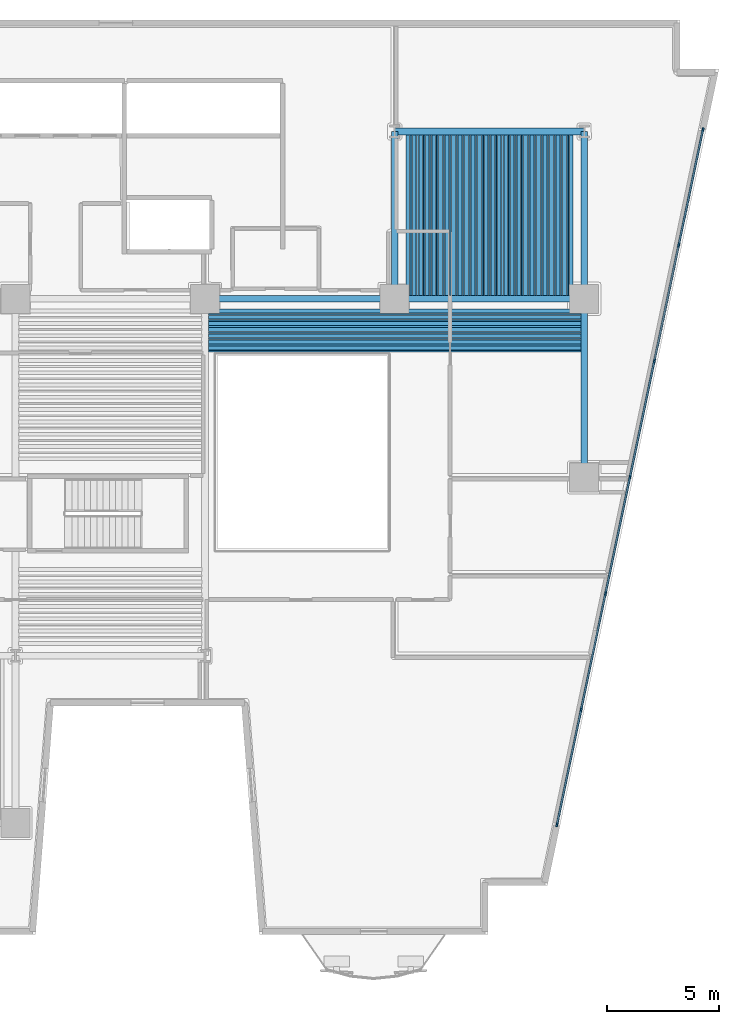
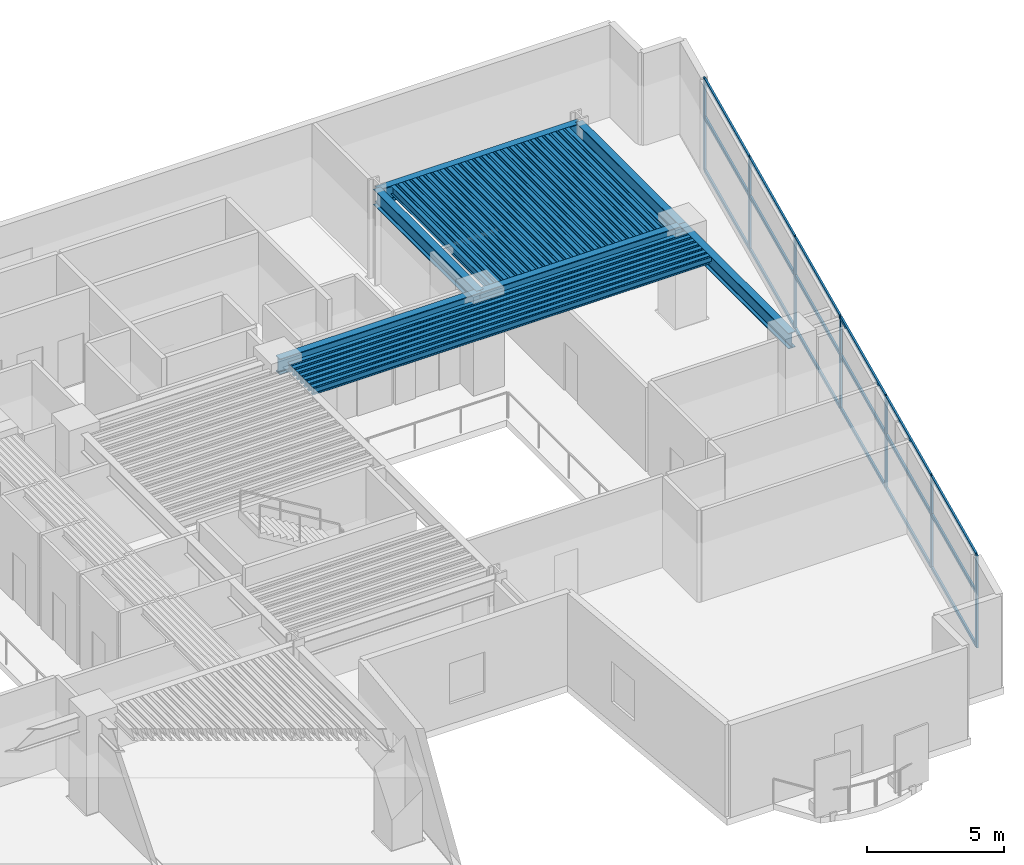
# One storey, part 2 of 12: 71 beams, 25 members, 1 element without a shape of its own.
"""IFC4 building model written with IfcOpenShell, lengths in metres."""

from ifc_helpers import new_model, si_unit, direction, frame, origin, origin_2d, place, context, subcontext, project, spatial, rectangle, hollow_rectangle, i_section, extrude, material, layer, layer_set, material_profile, profile_set, type_object, element, aggregate, save


model = new_model("IFC4")

# Units and contexts
model_context = context("Model", 3, precision=1e-05, world=origin(), true_north=direction((0.0, 1.0)))
body_context = subcontext(model_context, "Body", "Model", "MODEL_VIEW")
ifc_project = project(units=[si_unit("LENGTHUNIT", "METRE"), si_unit("AREAUNIT", "SQUARE_METRE"), si_unit("VOLUMEUNIT", "CUBIC_METRE"), si_unit("PLANEANGLEUNIT", "RADIAN"), si_unit("MASSUNIT", "GRAM", prefix="KILO")], contexts=[model_context])

# Site, building, storey
site_placement = place(None, origin())
site = spatial("IfcSite", under=ifc_project, at=site_placement, CompositionType="ELEMENT")
building_placement = place(site_placement, origin())
building = spatial("IfcBuilding", under=site, at=building_placement, Name="Caeloran Harvest Quay", CompositionType="ELEMENT")
storey_placement = place(building_placement, frame((0.0, 0.0, 35.800048828125)))
storey = spatial("IfcBuildingStorey", under=building, at=storey_placement, Name="L08", CompositionType="ELEMENT", Elevation=35.800048828125)

# Beams
ifc_material_1 = material(Name="Steel S355J2", Category="steel")
ifc_material_profile_1 = material_profile(ifc_material_1, i_section(OverallWidth=0.300048828125, OverallDepth=0.699951171875, WebThickness=0.01708984375, FlangeThickness=0.031982421875, FilletRadius=0.027099609375, at=origin_2d()), Name="HE 700 B")
ifc_profile_set_1 = profile_set([ifc_material_profile_1], Name="Steel S355J2")
beam_type_1 = type_object("IfcBeamType", Name="BM-PG-2-HE_700_B", PredefinedType="BEAM", material=ifc_profile_set_1)
for number, where, z_axis, x_axis, name in (
    (1, (34.0, 31.0, 3.75), (1.0, 0.0, 0.0), (0.0, 1.0, 0.0), "L08 Primary East-West Girder Y=31.0"),
    (2, (42.5, 31.0, 3.75), (1.0, 0.0, 0.0), (0.0, 1.0, 0.0), "L08 Primary East-West Girder Y=31.0"),
    (3, (42.5, 38.5, 3.75), (1.0, 0.0, 0.0), (0.0, 1.0, 0.0), "L08 Primary East-West Girder Y=38.5"),
):
    element("IfcBeam", number, at=place(storey_placement, frame(where, z_axis=z_axis, x_axis=x_axis)), inside=storey, type_object=beam_type_1, Name=name, PredefinedType="BEAM", context=body_context, shape_type="SweptSolid", body=[
        extrude(i_section(OverallWidth=0.300048828125, OverallDepth=0.699951171875, WebThickness=0.01708984375, FlangeThickness=0.031982421875, FilletRadius=0.027099609375, at=origin_2d()), origin(), (0.0, 0.0, 1.0), 8.5),
    ])
beam_1_placement = place(storey_placement, frame((42.5, 31.0, 3.75), z_axis=(0.0, 1.0, 0.0), x_axis=(-1.0, 0.0, 0.0)))
element("IfcBeam", 4, at=beam_1_placement, inside=storey, type_object=beam_type_1, Name="L08 Primary North-South Girder X=42.5", PredefinedType="BEAM", context=body_context, shape_type="SweptSolid", body=[
    extrude(i_section(OverallWidth=0.300048828125, OverallDepth=0.699951171875, WebThickness=0.01708984375, FlangeThickness=0.031982421875, FilletRadius=0.027099609375, at=origin_2d()), origin(), (0.0, 0.0, 1.0), 7.5),
])
beam_2_placement = place(storey_placement, frame((51.0, 23.0, 3.75), z_axis=(0.0, 1.0, 0.0), x_axis=(-1.0, 0.0, 0.0)))
element("IfcBeam", 5, at=beam_2_placement, inside=storey, type_object=beam_type_1, Name="L08 Primary North-South Girder X=51.0", PredefinedType="BEAM", context=body_context, shape_type="SweptSolid", body=[
    extrude(i_section(OverallWidth=0.300048828125, OverallDepth=0.699951171875, WebThickness=0.01708984375, FlangeThickness=0.031982421875, FilletRadius=0.027099609375, at=origin_2d()), origin(), (0.0, 0.0, 1.0), 8.0),
])
beam_3_placement = place(storey_placement, frame((51.0, 31.0, 3.75), z_axis=(0.0, 1.0, 0.0), x_axis=(-1.0, 0.0, 0.0)))
element("IfcBeam", 6, at=beam_3_placement, inside=storey, type_object=beam_type_1, Name="L08 Primary North-South Girder X=51.0", PredefinedType="BEAM", context=body_context, shape_type="SweptSolid", body=[
    extrude(i_section(OverallWidth=0.300048828125, OverallDepth=0.699951171875, WebThickness=0.01708984375, FlangeThickness=0.031982421875, FilletRadius=0.027099609375, at=origin_2d()), origin(), (0.0, 0.0, 1.0), 7.5),
])
ifc_material_profile_2 = material_profile(ifc_material_1, i_section(OverallWidth=0.169921875, OverallDepth=0.360107421875, WebThickness=0.008056640625, FlangeThickness=0.0126953125, FilletRadius=0.01806640625, at=origin_2d()), Name="IPE 360")
ifc_profile_set_2 = profile_set([ifc_material_profile_2], Name="Steel S355J2")
beam_type_2 = type_object("IfcBeamType", Name="BM-SB-5-IPE_360", PredefinedType="JOIST", material=ifc_profile_set_2)
for number, where, z_axis, x_axis, name in (
    (7, (43.086181640625, 31.14501953125, 3.919921875), (0.0, 1.0, 0.0), (-1.0, 0.0, 0.0), "L08 Secondary Composite Joist"),
    (8, (43.37939453125, 31.14501953125, 3.919921875), (0.0, 1.0, 0.0), (-1.0, 0.0, 0.0), "L08 Secondary Composite Joist"),
    (9, (43.67236328125, 31.14501953125, 3.919921875), (0.0, 1.0, 0.0), (-1.0, 0.0, 0.0), "L08 Secondary Composite Joist"),
    (10, (43.965576171875, 31.14501953125, 3.919921875), (0.0, 1.0, 0.0), (-1.0, 0.0, 0.0), "L08 Secondary Composite Joist"),
    (11, (44.258544921875, 31.14501953125, 3.919921875), (0.0, 1.0, 0.0), (-1.0, 0.0, 0.0), "L08 Secondary Composite Joist"),
    (12, (44.5517578125, 31.14501953125, 3.919921875), (0.0, 1.0, 0.0), (-1.0, 0.0, 0.0), "L08 Secondary Composite Joist"),
    (13, (44.8447265625, 31.14501953125, 3.919921875), (0.0, 1.0, 0.0), (-1.0, 0.0, 0.0), "L08 Secondary Composite Joist"),
    (14, (45.137939453125, 31.14501953125, 3.919921875), (0.0, 1.0, 0.0), (-1.0, 0.0, 0.0), "L08 Secondary Composite Joist"),
    (15, (45.430908203125, 31.14501953125, 3.919921875), (0.0, 1.0, 0.0), (-1.0, 0.0, 0.0), "L08 Secondary Composite Joist"),
    (16, (45.72412109375, 31.14501953125, 3.919921875), (0.0, 1.0, 0.0), (-1.0, 0.0, 0.0), "L08 Secondary Composite Joist"),
    (17, (46.01708984375, 31.14501953125, 3.919921875), (0.0, 1.0, 0.0), (-1.0, 0.0, 0.0), "L08 Secondary Composite Joist"),
    (18, (46.310302734375, 31.14501953125, 3.919921875), (0.0, 1.0, 0.0), (-1.0, 0.0, 0.0), "L08 Secondary Composite Joist"),
    (19, (46.603515625, 31.14501953125, 3.919921875), (0.0, 1.0, 0.0), (-1.0, 0.0, 0.0), "L08 Secondary Composite Joist"),
    (20, (46.896484375, 31.14501953125, 3.919921875), (0.0, 1.0, 0.0), (-1.0, 0.0, 0.0), "L08 Secondary Composite Joist"),
    (21, (47.189697265625, 31.14501953125, 3.919921875), (0.0, 1.0, 0.0), (-1.0, 0.0, 0.0), "L08 Secondary Composite Joist"),
    (22, (47.48291015625, 31.14501953125, 3.919921875), (0.0, 1.0, 0.0), (-1.0, 0.0, 0.0), "L08 Secondary Composite Joist"),
    (23, (47.77587890625, 31.14501953125, 3.919921875), (0.0, 1.0, 0.0), (-1.0, 0.0, 0.0), "L08 Secondary Composite Joist"),
    (24, (48.069091796875, 31.14501953125, 3.919921875), (0.0, 1.0, 0.0), (-1.0, 0.0, 0.0), "L08 Secondary Composite Joist"),
    (25, (48.362060546875, 31.14501953125, 3.919921875), (0.0, 1.0, 0.0), (-1.0, 0.0, 0.0), "L08 Secondary Composite Joist"),
    (26, (48.6552734375, 31.14501953125, 3.919921875), (0.0, 1.0, 0.0), (-1.0, 0.0, 0.0), "L08 Secondary Composite Joist"),
    (27, (48.9482421875, 31.14501953125, 3.919921875), (0.0, 1.0, 0.0), (-1.0, 0.0, 0.0), "L08 Secondary Composite Joist"),
    (28, (49.241455078125, 31.14501953125, 3.919921875), (0.0, 1.0, 0.0), (-1.0, 0.0, 0.0), "L08 Secondary Composite Joist"),
    (29, (49.534423828125, 31.14501953125, 3.919921875), (0.0, 1.0, 0.0), (-1.0, 0.0, 0.0), "L08 Secondary Composite Joist"),
    (30, (49.82763671875, 31.14501953125, 3.919921875), (0.0, 1.0, 0.0), (-1.0, 0.0, 0.0), "L08 Secondary Composite Joist"),
    (31, (50.12060546875, 31.14501953125, 3.919921875), (0.0, 1.0, 0.0), (-1.0, 0.0, 0.0), "L08 Secondary Composite Joist"),
    (32, (50.413818359375, 31.14501953125, 3.919921875), (0.0, 1.0, 0.0), (-1.0, 0.0, 0.0), "L08 Secondary Composite Joist"),
):
    element("IfcBeam", number, at=place(storey_placement, frame(where, z_axis=z_axis, x_axis=x_axis)), inside=storey, type_object=beam_type_2, Name=name, PredefinedType="JOIST", context=body_context, shape_type="SweptSolid", body=[
        extrude(i_section(OverallWidth=0.169921875, OverallDepth=0.360107421875, WebThickness=0.008056640625, FlangeThickness=0.0126953125, FilletRadius=0.01806640625, at=origin_2d()), origin(), (0.0, 0.0, 1.0), 7.2099609375),
    ])
for number, where, z_axis, x_axis, name in (
    (33, (34.14501953125, 28.793212890625, 3.919921875), (1.0, 0.0, 0.0), (0.0, 1.0, 0.0), "L08 Secondary East-West Composite Joist"),
    (34, (34.14501953125, 29.069091796875, 3.919921875), (1.0, 0.0, 0.0), (0.0, 1.0, 0.0), "L08 Secondary East-West Composite Joist"),
    (35, (34.14501953125, 29.3447265625, 3.919921875), (1.0, 0.0, 0.0), (0.0, 1.0, 0.0), "L08 Secondary East-West Composite Joist"),
    (36, (34.14501953125, 29.62060546875, 3.919921875), (1.0, 0.0, 0.0), (0.0, 1.0, 0.0), "L08 Secondary East-West Composite Joist"),
    (37, (34.14501953125, 29.896484375, 3.919921875), (1.0, 0.0, 0.0), (0.0, 1.0, 0.0), "L08 Secondary East-West Composite Joist"),
    (38, (34.14501953125, 30.17236328125, 3.919921875), (1.0, 0.0, 0.0), (0.0, 1.0, 0.0), "L08 Secondary East-West Composite Joist"),
    (39, (34.14501953125, 30.4482421875, 3.919921875), (1.0, 0.0, 0.0), (0.0, 1.0, 0.0), "L08 Secondary East-West Composite Joist"),
):
    element("IfcBeam", number, at=place(storey_placement, frame(where, z_axis=z_axis, x_axis=x_axis)), inside=storey, type_object=beam_type_2, Name=name, PredefinedType="JOIST", context=body_context, shape_type="SweptSolid", body=[
        extrude(i_section(OverallWidth=0.169921875, OverallDepth=0.360107421875, WebThickness=0.008056640625, FlangeThickness=0.0126953125, FilletRadius=0.01806640625, at=origin_2d()), origin(), (0.0, 0.0, 1.0), 16.7099609375),
    ])
ifc_material_profile_3 = material_profile(ifc_material_1, hollow_rectangle(XDim=0.080078125, YDim=0.199951171875, WallThickness=0.006103515625, InnerFilletRadius=0.006103515625, OuterFilletRadius=0.009033203125, at=origin_2d()), Name="RHS 200x80x6")
ifc_profile_set_3 = profile_set([ifc_material_profile_3], Name="Steel S355J2")
beam_type_3 = type_object("IfcBeamType", Name="BM-SB-7-RHS_200x80x6", PredefinedType="JOIST", material=ifc_profile_set_3)
for number, where, z_axis, x_axis, name in (
    (40, (43.23291015625, 31.14501953125, 4.0), (0.0, 1.0, 0.0), (-1.0, 0.0, 0.0), "L08 Secondary Composite Joist"),
    (41, (43.52587890625, 31.14501953125, 4.0), (0.0, 1.0, 0.0), (-1.0, 0.0, 0.0), "L08 Secondary Composite Joist"),
    (42, (43.819091796875, 31.14501953125, 4.0), (0.0, 1.0, 0.0), (-1.0, 0.0, 0.0), "L08 Secondary Composite Joist"),
    (43, (44.112060546875, 31.14501953125, 4.0), (0.0, 1.0, 0.0), (-1.0, 0.0, 0.0), "L08 Secondary Composite Joist"),
    (44, (44.4052734375, 31.14501953125, 4.0), (0.0, 1.0, 0.0), (-1.0, 0.0, 0.0), "L08 Secondary Composite Joist"),
    (45, (44.6982421875, 31.14501953125, 4.0), (0.0, 1.0, 0.0), (-1.0, 0.0, 0.0), "L08 Secondary Composite Joist"),
    (46, (44.991455078125, 31.14501953125, 4.0), (0.0, 1.0, 0.0), (-1.0, 0.0, 0.0), "L08 Secondary Composite Joist"),
    (47, (45.284423828125, 31.14501953125, 4.0), (0.0, 1.0, 0.0), (-1.0, 0.0, 0.0), "L08 Secondary Composite Joist"),
    (48, (45.57763671875, 31.14501953125, 4.0), (0.0, 1.0, 0.0), (-1.0, 0.0, 0.0), "L08 Secondary Composite Joist"),
    (49, (45.87060546875, 31.14501953125, 4.0), (0.0, 1.0, 0.0), (-1.0, 0.0, 0.0), "L08 Secondary Composite Joist"),
    (50, (46.163818359375, 31.14501953125, 4.0), (0.0, 1.0, 0.0), (-1.0, 0.0, 0.0), "L08 Secondary Composite Joist"),
    (51, (46.456787109375, 31.14501953125, 4.0), (0.0, 1.0, 0.0), (-1.0, 0.0, 0.0), "L08 Secondary Composite Joist"),
    (52, (46.75, 31.14501953125, 4.0), (0.0, 1.0, 0.0), (-1.0, 0.0, 0.0), "L08 Secondary Composite Joist"),
    (53, (47.043212890625, 31.14501953125, 4.0), (0.0, 1.0, 0.0), (-1.0, 0.0, 0.0), "L08 Secondary Composite Joist"),
    (54, (47.336181640625, 31.14501953125, 4.0), (0.0, 1.0, 0.0), (-1.0, 0.0, 0.0), "L08 Secondary Composite Joist"),
    (55, (47.62939453125, 31.14501953125, 4.0), (0.0, 1.0, 0.0), (-1.0, 0.0, 0.0), "L08 Secondary Composite Joist"),
    (56, (47.92236328125, 31.14501953125, 4.0), (0.0, 1.0, 0.0), (-1.0, 0.0, 0.0), "L08 Secondary Composite Joist"),
    (57, (48.215576171875, 31.14501953125, 4.0), (0.0, 1.0, 0.0), (-1.0, 0.0, 0.0), "L08 Secondary Composite Joist"),
    (58, (48.508544921875, 31.14501953125, 4.0), (0.0, 1.0, 0.0), (-1.0, 0.0, 0.0), "L08 Secondary Composite Joist"),
    (59, (48.8017578125, 31.14501953125, 4.0), (0.0, 1.0, 0.0), (-1.0, 0.0, 0.0), "L08 Secondary Composite Joist"),
    (60, (49.0947265625, 31.14501953125, 4.0), (0.0, 1.0, 0.0), (-1.0, 0.0, 0.0), "L08 Secondary Composite Joist"),
    (61, (49.387939453125, 31.14501953125, 4.0), (0.0, 1.0, 0.0), (-1.0, 0.0, 0.0), "L08 Secondary Composite Joist"),
    (62, (49.680908203125, 31.14501953125, 4.0), (0.0, 1.0, 0.0), (-1.0, 0.0, 0.0), "L08 Secondary Composite Joist"),
    (63, (49.97412109375, 31.14501953125, 4.0), (0.0, 1.0, 0.0), (-1.0, 0.0, 0.0), "L08 Secondary Composite Joist"),
    (64, (50.26708984375, 31.14501953125, 4.0), (0.0, 1.0, 0.0), (-1.0, 0.0, 0.0), "L08 Secondary Composite Joist"),
):
    element("IfcBeam", number, at=place(storey_placement, frame(where, z_axis=z_axis, x_axis=x_axis)), inside=storey, type_object=beam_type_3, Name=name, PredefinedType="JOIST", context=body_context, shape_type="SweptSolid", body=[
        extrude(hollow_rectangle(XDim=0.080078125, YDim=0.199951171875, WallThickness=0.006103515625, InnerFilletRadius=0.006103515625, OuterFilletRadius=0.009033203125, at=origin_2d()), origin(), (0.0, 0.0, 1.0), 7.2099609375),
    ])
for number, where, z_axis, x_axis, name in (
    (65, (34.14501953125, 28.6552734375, 4.0), (1.0, 0.0, 0.0), (0.0, 1.0, 0.0), "L08 Secondary East-West Composite Joist"),
    (66, (34.14501953125, 28.930908203125, 4.0), (1.0, 0.0, 0.0), (0.0, 1.0, 0.0), "L08 Secondary East-West Composite Joist"),
    (67, (34.14501953125, 29.206787109375, 4.0), (1.0, 0.0, 0.0), (0.0, 1.0, 0.0), "L08 Secondary East-West Composite Joist"),
    (68, (34.14501953125, 29.48291015625, 4.0), (1.0, 0.0, 0.0), (0.0, 1.0, 0.0), "L08 Secondary East-West Composite Joist"),
    (69, (34.14501953125, 29.758544921875, 4.0), (1.0, 0.0, 0.0), (0.0, 1.0, 0.0), "L08 Secondary East-West Composite Joist"),
    (70, (34.14501953125, 30.034423828125, 4.0), (1.0, 0.0, 0.0), (0.0, 1.0, 0.0), "L08 Secondary East-West Composite Joist"),
    (71, (34.14501953125, 30.310302734375, 4.0), (1.0, 0.0, 0.0), (0.0, 1.0, 0.0), "L08 Secondary East-West Composite Joist"),
):
    element("IfcBeam", number, at=place(storey_placement, frame(where, z_axis=z_axis, x_axis=x_axis)), inside=storey, type_object=beam_type_3, Name=name, PredefinedType="JOIST", context=body_context, shape_type="SweptSolid", body=[
        extrude(hollow_rectangle(XDim=0.080078125, YDim=0.199951171875, WallThickness=0.006103515625, InnerFilletRadius=0.006103515625, OuterFilletRadius=0.009033203125, at=origin_2d()), origin(), (0.0, 0.0, 1.0), 16.7099609375),
    ])

# Curtain wall, members
ifc_material_2 = material(Name="Aluminium 6063-T6 and Low-E Glazing", Category="aluminium")
ifc_layer = layer(ifc_material_2, 0.199951171875, Name="Aluminium 6063-T6 and Low-E Glazing")
ifc_layer_set = layer_set([ifc_layer], Name="Aluminium 6063-T6 and Low-E Glazing")
curtain_wall_type = type_object("IfcCurtainWallType", Name="CW-SYS-CW-2", PredefinedType="USERDEFINED", material=ifc_layer_set)
curtain_wall_placement = place(storey_placement, origin())
curtain_wall = element("IfcCurtainWall", 72, at=curtain_wall_placement, inside=storey, type_object=curtain_wall_type, Name="L08 Unitised Curtain Wall CW-2 Run 9", ObjectType="CURTAIN_WALL", PredefinedType="USERDEFINED")
ifc_material_3 = material(Name="Aluminium 6063-T6", Category="aluminium")
ifc_material_profile_4 = material_profile(ifc_material_3, rectangle(XDim=0.080078125, YDim=0.179931640625, at=origin_2d()), Name="CW-MULLION-180")
ifc_profile_set_4 = profile_set([ifc_material_profile_4], Name="Aluminium 6063-T6")
member_type_1 = type_object("IfcMemberType", Name="CW-MULLION-180", PredefinedType="MULLION", material=ifc_profile_set_4)
member_1_placement = place(storey_placement, frame((56.322509765625, 38.576416015625, 0.0), z_axis=(0.0, 0.0, 1.0), x_axis=(0.978639691881, -0.205582960081, 0.0)))
member_1 = element("IfcMember", 73, at=member_1_placement, type_object=member_type_1, Name="CW-2 mullion 1", PredefinedType="MULLION", context=body_context, shape_type="SweptSolid", body=[
    extrude(rectangle(XDim=0.080078125, YDim=0.179931640625, at=origin_2d()), origin(), (0.0, 0.0, 1.0), 4.099853515625),
])
member_2_placement = place(storey_placement, frame((55.2373046875, 33.410400390625, 0.0), z_axis=(0.0, 0.0, 1.0), x_axis=(0.978639691881, -0.205582960081, 0.0)))
member_2 = element("IfcMember", 74, at=member_2_placement, type_object=member_type_1, Name="CW-2 mullion 2", PredefinedType="MULLION", context=body_context, shape_type="SweptSolid", body=[
    extrude(rectangle(XDim=0.080078125, YDim=0.179931640625, at=origin_2d()), origin(), (0.0, 0.0, 1.0), 4.099853515625),
])
member_3_placement = place(storey_placement, frame((54.143798828125, 28.205078125, 0.0), z_axis=(0.0, 0.0, 1.0), x_axis=(0.978639691881, -0.205582960081, 0.0)))
member_3 = element("IfcMember", 75, at=member_3_placement, type_object=member_type_1, Name="CW-2 mullion 3", PredefinedType="MULLION", context=body_context, shape_type="SweptSolid", body=[
    extrude(rectangle(XDim=0.080078125, YDim=0.179931640625, at=origin_2d()), origin(), (0.0, 0.0, 1.0), 4.099853515625),
])
member_4_placement = place(storey_placement, frame((53.050537109375, 23.0, 0.0), z_axis=(0.0, 0.0, 1.0), x_axis=(0.978639691881, -0.205582960081, 0.0)))
member_4 = element("IfcMember", 76, at=member_4_placement, type_object=member_type_1, Name="CW-2 mullion 4", PredefinedType="MULLION", context=body_context, shape_type="SweptSolid", body=[
    extrude(rectangle(XDim=0.080078125, YDim=0.179931640625, at=origin_2d()), origin(), (0.0, 0.0, 1.0), 4.099853515625),
])
member_5_placement = place(storey_placement, frame((51.95703125, 17.794921875, 0.0), z_axis=(0.0, 0.0, 1.0), x_axis=(0.978639691881, -0.205582960081, 0.0)))
member_5 = element("IfcMember", 77, at=member_5_placement, type_object=member_type_1, Name="CW-2 mullion 5", PredefinedType="MULLION", context=body_context, shape_type="SweptSolid", body=[
    extrude(rectangle(XDim=0.080078125, YDim=0.179931640625, at=origin_2d()), origin(), (0.0, 0.0, 1.0), 4.099853515625),
])
member_6_placement = place(storey_placement, frame((50.863525390625, 12.589599609375, 0.0), z_axis=(0.0, 0.0, 1.0), x_axis=(0.978639691881, -0.205582960081, 0.0)))
member_6 = element("IfcMember", 78, at=member_6_placement, type_object=member_type_1, Name="CW-2 mullion 6", PredefinedType="MULLION", context=body_context, shape_type="SweptSolid", body=[
    extrude(rectangle(XDim=0.080078125, YDim=0.179931640625, at=origin_2d()), origin(), (0.0, 0.0, 1.0), 4.099853515625),
])
member_7_placement = place(storey_placement, frame((49.7783203125, 7.423583984375, 0.0), z_axis=(0.0, 0.0, 1.0), x_axis=(0.978639691881, -0.205582960081, 0.0)))
member_7 = element("IfcMember", 79, at=member_7_placement, type_object=member_type_1, Name="CW-2 mullion 7", PredefinedType="MULLION", context=body_context, shape_type="SweptSolid", body=[
    extrude(rectangle(XDim=0.080078125, YDim=0.179931640625, at=origin_2d()), origin(), (0.0, 0.0, 1.0), 4.099853515625),
])
ifc_material_profile_5 = material_profile(ifc_material_3, rectangle(XDim=0.080078125, YDim=0.14990234375, at=origin_2d()), Name="CW-TRANSOM-150")
ifc_profile_set_5 = profile_set([ifc_material_profile_5], Name="Aluminium 6063-T6")
member_type_2 = type_object("IfcMemberType", Name="CW-TRANSOM-150", PredefinedType="USERDEFINED", material=ifc_profile_set_5)
member_8_placement = place(storey_placement, frame((56.314453125, 38.537109375, 0.0400390625), z_axis=(-0.205598644178, -0.978636396989, 0.0), x_axis=(0.978636396989, -0.205598644178, 0.0)))
member_8 = element("IfcMember", 80, at=member_8_placement, type_object=member_type_2, Name="CW-2 transom 1.1", ObjectType="TRANSOM", PredefinedType="USERDEFINED", context=body_context, shape_type="SweptSolid", body=[
    extrude(rectangle(XDim=0.080078125, YDim=0.14990234375, at=origin_2d()), origin(), (0.0, 0.0, 1.0), 5.19873046875),
])
member_9_placement = place(storey_placement, frame((56.314453125, 38.537109375, 2.39990234375), z_axis=(-0.205598644178, -0.978636396989, 0.0), x_axis=(0.978636396989, -0.205598644178, 0.0)))
member_9 = element("IfcMember", 81, at=member_9_placement, type_object=member_type_2, Name="CW-2 transom 1.2", ObjectType="TRANSOM", PredefinedType="USERDEFINED", context=body_context, shape_type="SweptSolid", body=[
    extrude(rectangle(XDim=0.080078125, YDim=0.14990234375, at=origin_2d()), origin(), (0.0, 0.0, 1.0), 5.19873046875),
])
member_10_placement = place(storey_placement, frame((56.314453125, 38.537109375, 4.06005859375), z_axis=(-0.205598644178, -0.978636396989, 0.0), x_axis=(0.978636396989, -0.205598644178, 0.0)))
member_10 = element("IfcMember", 82, at=member_10_placement, type_object=member_type_2, Name="CW-2 transom 1.3", ObjectType="TRANSOM", PredefinedType="USERDEFINED", context=body_context, shape_type="SweptSolid", body=[
    extrude(rectangle(XDim=0.080078125, YDim=0.14990234375, at=origin_2d()), origin(), (0.0, 0.0, 1.0), 5.19873046875),
])
member_11_placement = place(storey_placement, frame((55.229248046875, 33.37109375, 0.0400390625), z_axis=(-0.205615877389, -0.97863277636, 0.0), x_axis=(0.97863277636, -0.205615877389, 0.0)))
member_11 = element("IfcMember", 83, at=member_11_placement, type_object=member_type_2, Name="CW-2 transom 2.1", ObjectType="TRANSOM", PredefinedType="USERDEFINED", context=body_context, shape_type="SweptSolid", body=[
    extrude(rectangle(XDim=0.080078125, YDim=0.14990234375, at=origin_2d()), origin(), (0.0, 0.0, 1.0), 5.238525390625),
])
member_12_placement = place(storey_placement, frame((55.229248046875, 33.37109375, 2.39990234375), z_axis=(-0.205615877389, -0.97863277636, 0.0), x_axis=(0.97863277636, -0.205615877389, 0.0)))
member_12 = element("IfcMember", 84, at=member_12_placement, type_object=member_type_2, Name="CW-2 transom 2.2", ObjectType="TRANSOM", PredefinedType="USERDEFINED", context=body_context, shape_type="SweptSolid", body=[
    extrude(rectangle(XDim=0.080078125, YDim=0.14990234375, at=origin_2d()), origin(), (0.0, 0.0, 1.0), 5.238525390625),
])
member_13_placement = place(storey_placement, frame((55.229248046875, 33.37109375, 4.06005859375), z_axis=(-0.205615877389, -0.97863277636, 0.0), x_axis=(0.97863277636, -0.205615877389, 0.0)))
member_13 = element("IfcMember", 85, at=member_13_placement, type_object=member_type_2, Name="CW-2 transom 2.3", ObjectType="TRANSOM", PredefinedType="USERDEFINED", context=body_context, shape_type="SweptSolid", body=[
    extrude(rectangle(XDim=0.080078125, YDim=0.14990234375, at=origin_2d()), origin(), (0.0, 0.0, 1.0), 5.238525390625),
])
member_14_placement = place(storey_placement, frame((54.1357421875, 28.166015625, 0.0400390625), z_axis=(-0.205606500081, -0.978634746534, 0.0), x_axis=(0.978634746534, -0.205606500081, 0.0)))
member_14 = element("IfcMember", 86, at=member_14_placement, type_object=member_type_2, Name="CW-2 transom 3.1", ObjectType="TRANSOM", PredefinedType="USERDEFINED", context=body_context, shape_type="SweptSolid", body=[
    extrude(rectangle(XDim=0.080078125, YDim=0.14990234375, at=origin_2d()), origin(), (0.0, 0.0, 1.0), 5.23876953125),
])
member_15_placement = place(storey_placement, frame((54.1357421875, 28.166015625, 2.39990234375), z_axis=(-0.205606500081, -0.978634746534, 0.0), x_axis=(0.978634746534, -0.205606500081, 0.0)))
member_15 = element("IfcMember", 87, at=member_15_placement, type_object=member_type_2, Name="CW-2 transom 3.2", ObjectType="TRANSOM", PredefinedType="USERDEFINED", context=body_context, shape_type="SweptSolid", body=[
    extrude(rectangle(XDim=0.080078125, YDim=0.14990234375, at=origin_2d()), origin(), (0.0, 0.0, 1.0), 5.23876953125),
])
member_16_placement = place(storey_placement, frame((54.1357421875, 28.166015625, 4.06005859375), z_axis=(-0.205606500081, -0.978634746534, 0.0), x_axis=(0.978634746534, -0.205606500081, 0.0)))
member_16 = element("IfcMember", 88, at=member_16_placement, type_object=member_type_2, Name="CW-2 transom 3.3", ObjectType="TRANSOM", PredefinedType="USERDEFINED", context=body_context, shape_type="SweptSolid", body=[
    extrude(rectangle(XDim=0.080078125, YDim=0.14990234375, at=origin_2d()), origin(), (0.0, 0.0, 1.0), 5.23876953125),
])
member_17_placement = place(storey_placement, frame((53.042236328125, 22.9609375, 0.0400390625), z_axis=(-0.205561867825, -0.978644122496, 0.0), x_axis=(0.978644122496, -0.205561867825, 0.0)))
member_17 = element("IfcMember", 89, at=member_17_placement, type_object=member_type_2, Name="CW-2 transom 4.1", ObjectType="TRANSOM", PredefinedType="USERDEFINED", context=body_context, shape_type="SweptSolid", body=[
    extrude(rectangle(XDim=0.080078125, YDim=0.14990234375, at=origin_2d()), origin(), (0.0, 0.0, 1.0), 5.23876953125),
])
member_18_placement = place(storey_placement, frame((53.042236328125, 22.9609375, 2.39990234375), z_axis=(-0.205561867825, -0.978644122496, 0.0), x_axis=(0.978644122496, -0.205561867825, 0.0)))
member_18 = element("IfcMember", 90, at=member_18_placement, type_object=member_type_2, Name="CW-2 transom 4.2", ObjectType="TRANSOM", PredefinedType="USERDEFINED", context=body_context, shape_type="SweptSolid", body=[
    extrude(rectangle(XDim=0.080078125, YDim=0.14990234375, at=origin_2d()), origin(), (0.0, 0.0, 1.0), 5.23876953125),
])
member_19_placement = place(storey_placement, frame((53.042236328125, 22.9609375, 4.06005859375), z_axis=(-0.205561867825, -0.978644122496, 0.0), x_axis=(0.978644122496, -0.205561867825, 0.0)))
member_19 = element("IfcMember", 91, at=member_19_placement, type_object=member_type_2, Name="CW-2 transom 4.3", ObjectType="TRANSOM", PredefinedType="USERDEFINED", context=body_context, shape_type="SweptSolid", body=[
    extrude(rectangle(XDim=0.080078125, YDim=0.14990234375, at=origin_2d()), origin(), (0.0, 0.0, 1.0), 5.23876953125),
])
member_20_placement = place(storey_placement, frame((51.94873046875, 17.755615234375, 0.0400390625), z_axis=(-0.205571243277, -0.978642153158, 0.0), x_axis=(0.978642153158, -0.205571243277, 0.0)))
member_20 = element("IfcMember", 92, at=member_20_placement, type_object=member_type_2, Name="CW-2 transom 5.1", ObjectType="TRANSOM", PredefinedType="USERDEFINED", context=body_context, shape_type="SweptSolid", body=[
    extrude(rectangle(XDim=0.080078125, YDim=0.14990234375, at=origin_2d()), origin(), (0.0, 0.0, 1.0), 5.238525390625),
])
member_21_placement = place(storey_placement, frame((51.94873046875, 17.755615234375, 2.39990234375), z_axis=(-0.205571243277, -0.978642153158, 0.0), x_axis=(0.978642153158, -0.205571243277, 0.0)))
member_21 = element("IfcMember", 93, at=member_21_placement, type_object=member_type_2, Name="CW-2 transom 5.2", ObjectType="TRANSOM", PredefinedType="USERDEFINED", context=body_context, shape_type="SweptSolid", body=[
    extrude(rectangle(XDim=0.080078125, YDim=0.14990234375, at=origin_2d()), origin(), (0.0, 0.0, 1.0), 5.238525390625),
])
member_22_placement = place(storey_placement, frame((51.94873046875, 17.755615234375, 4.06005859375), z_axis=(-0.205571243277, -0.978642153158, 0.0), x_axis=(0.978642153158, -0.205571243277, 0.0)))
member_22 = element("IfcMember", 94, at=member_22_placement, type_object=member_type_2, Name="CW-2 transom 5.3", ObjectType="TRANSOM", PredefinedType="USERDEFINED", context=body_context, shape_type="SweptSolid", body=[
    extrude(rectangle(XDim=0.080078125, YDim=0.14990234375, at=origin_2d()), origin(), (0.0, 0.0, 1.0), 5.238525390625),
])
member_23_placement = place(storey_placement, frame((50.855224609375, 12.550537109375, 0.0400390625), z_axis=(-0.205553666865, -0.978645845052, 0.0), x_axis=(0.978645845052, -0.205553666865, 0.0)))
member_23 = element("IfcMember", 95, at=member_23_placement, type_object=member_type_2, Name="CW-2 transom 6.1", ObjectType="TRANSOM", PredefinedType="USERDEFINED", context=body_context, shape_type="SweptSolid", body=[
    extrude(rectangle(XDim=0.080078125, YDim=0.14990234375, at=origin_2d()), origin(), (0.0, 0.0, 1.0), 5.19873046875),
])
member_24_placement = place(storey_placement, frame((50.855224609375, 12.550537109375, 2.39990234375), z_axis=(-0.205553666865, -0.978645845052, 0.0), x_axis=(0.978645845052, -0.205553666865, 0.0)))
member_24 = element("IfcMember", 96, at=member_24_placement, type_object=member_type_2, Name="CW-2 transom 6.2", ObjectType="TRANSOM", PredefinedType="USERDEFINED", context=body_context, shape_type="SweptSolid", body=[
    extrude(rectangle(XDim=0.080078125, YDim=0.14990234375, at=origin_2d()), origin(), (0.0, 0.0, 1.0), 5.19873046875),
])
member_25_placement = place(storey_placement, frame((50.855224609375, 12.550537109375, 4.06005859375), z_axis=(-0.205553666865, -0.978645845052, 0.0), x_axis=(0.978645845052, -0.205553666865, 0.0)))
member_25 = element("IfcMember", 97, at=member_25_placement, type_object=member_type_2, Name="CW-2 transom 6.3", ObjectType="TRANSOM", PredefinedType="USERDEFINED", context=body_context, shape_type="SweptSolid", body=[
    extrude(rectangle(XDim=0.080078125, YDim=0.14990234375, at=origin_2d()), origin(), (0.0, 0.0, 1.0), 5.19873046875),
])
aggregate(curtain_wall, [member_1, member_2, member_3, member_4, member_5, member_6, member_7, member_8, member_9, member_10, member_11, member_12, member_13, member_14, member_15, member_16, member_17, member_18, member_19, member_20, member_21, member_22, member_23, member_24, member_25])

save(model, "model.ifc")
